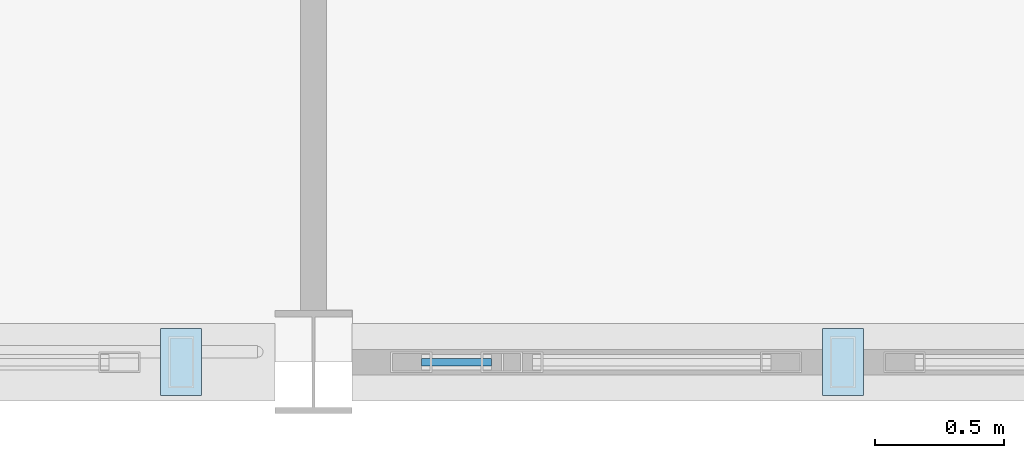
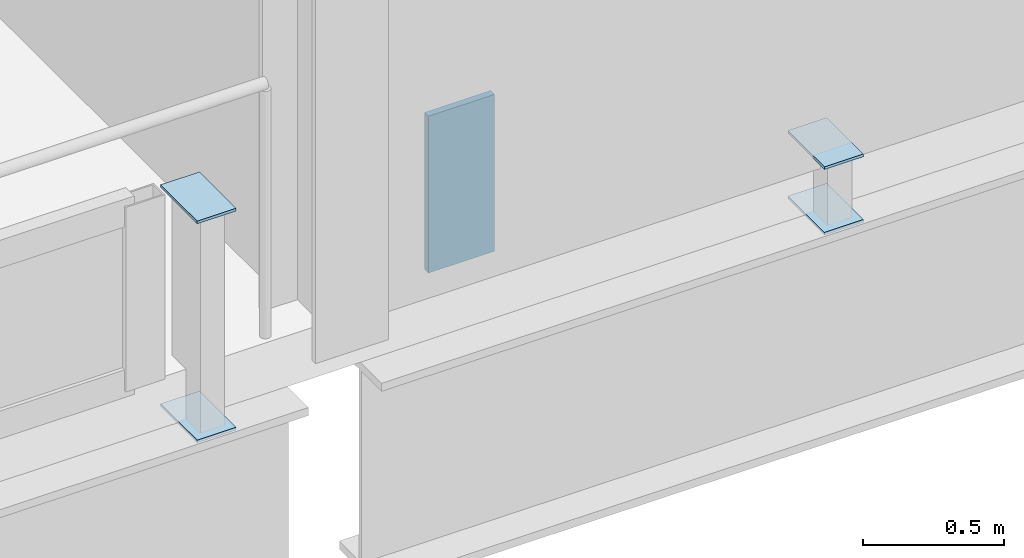
# One storey, part 13 of 20: 5 plates, 1 element without a shape of its own.
"""IFC4 building model written with IfcOpenShell, lengths in metres."""

from ifc_helpers import new_model, si_unit, direction, frame, origin, origin_2d, place, context, subcontext, project, spatial, rectangle, extrude, material, layer, layer_set, type_object, element, aggregate, save


model = new_model("IFC4")

# Units and contexts
model_context = context("Model", 3, precision=1e-05, world=origin(), true_north=direction((0.0, 1.0)))
body_context = subcontext(model_context, "Body", "Model", "MODEL_VIEW")
ifc_project = project(units=[si_unit("LENGTHUNIT", "METRE"), si_unit("AREAUNIT", "SQUARE_METRE"), si_unit("VOLUMEUNIT", "CUBIC_METRE"), si_unit("PLANEANGLEUNIT", "RADIAN"), si_unit("MASSUNIT", "GRAM", prefix="KILO"), si_unit("THERMODYNAMICTEMPERATUREUNIT", "KELVIN"), si_unit("POWERUNIT", "WATT")], contexts=[model_context])

# Site, building, storey
site_placement = place(None, origin())
site = spatial("IfcSite", under=ifc_project, at=site_placement, CompositionType="ELEMENT")
building_placement = place(site_placement, origin())
building = spatial("IfcBuilding", under=site, at=building_placement, Name="Kaldorven Railside Theatre", CompositionType="ELEMENT")
storey_placement = place(building_placement, frame((0.0, 0.0, 23.10009765625)))
storey = spatial("IfcBuildingStorey", under=building, at=storey_placement, Name="L05", CompositionType="ELEMENT", Elevation=23.10009765625)

# Curtain wall, plate
ifc_material_1 = material(Name="Low-E laminated solar-control glass", Category="glass")
ifc_layer_1 = layer(ifc_material_1, 0.159912109375, Name="Low-E laminated solar-control glass")
ifc_layer_set_1 = layer_set([ifc_layer_1], Name="Low-E laminated solar-control glass")
curtain_wall_type = type_object("IfcCurtainWallType", Name="CWT-44", PredefinedType="USERDEFINED", material=ifc_layer_set_1)
curtain_wall_placement = place(storey_placement, origin())
curtain_wall = element("IfcCurtainWall", 1, at=curtain_wall_placement, inside=storey, type_object=curtain_wall_type, Name="Main Theatre North Ridge Clerestory CWG-055", ObjectType="FLUTED GLAZING", PredefinedType="USERDEFINED")
ifc_layer_2 = layer(ifc_material_1, 0.028076171875, Name="Low-E laminated solar-control glass")
ifc_layer_set_2 = layer_set([ifc_layer_2], Name="Low-E laminated solar-control glass")
plate_type_1 = type_object("IfcPlateType", Name="CWP-GLZ28", PredefinedType="CURTAIN_PANEL", material=ifc_layer_set_2)
plate_placement = place(storey_placement, frame((116.5556640625, 84.0, 0.080078125), z_axis=(0.0, 0.0, 1.0), x_axis=(1.0, 0.0, 0.0)))
plate = element("IfcPlate", 2, at=plate_placement, type_object=plate_type_1, Name="CWG-055 panel 1.1", PredefinedType="CURTAIN_PANEL", context=body_context, shape_type="SweptSolid", body=[
    extrude(rectangle(XDim=0.271484375, YDim=0.028076171875, at=origin_2d()), origin(), (0.0, 0.0, 1.0), 0.679931640625),
])
aggregate(curtain_wall, [plate])

# Plates
ifc_material_2 = material(Name="Steel S355", Category="steel")
ifc_layer_3 = layer(ifc_material_2, 0.011962890625, Name="Steel S355")
ifc_layer_set_3 = layer_set([ifc_layer_3], Name="Steel S355")
plate_type_2 = type_object("IfcPlateType", Name="PLT-CAP-12", PredefinedType="USERDEFINED", material=ifc_layer_set_3)
for number, where, z_axis, x_axis, name in (
    (3, (115.485595703125, 84.0, -0.22998046875), (0.0, 0.0, 1.0), (1.0, 0.0, 0.0), "End cap gusset plate PL-0155"),
    (4, (115.485595703125, 84.0, 0.71923828125), (0.0, 0.0, 1.0), (1.0, 0.0, 0.0), "End cap gusset plate PL-0156"),
    (5, (118.05712890625, 84.0, -0.22998046875), (0.0, 0.0, 1.0), (1.0, 0.0, 0.0), "End cap gusset plate PL-0157"),
    (6, (118.05712890625, 84.0, 0.05419921875), (0.0, 0.0, 1.0), (1.0, 0.0, 0.0), "End cap gusset plate PL-0158"),
):
    element("IfcPlate", number, at=place(storey_placement, frame(where, z_axis=z_axis, x_axis=x_axis)), inside=storey, type_object=plate_type_2, Name=name, ObjectType="CAP PLATE", PredefinedType="USERDEFINED", context=body_context, shape_type="SweptSolid", body=[
        extrude(rectangle(XDim=0.159912109375, YDim=0.260009765625, at=origin_2d()), origin(), (0.0, 0.0, 1.0), 0.011962890625),
    ])

save(model, "model.ifc")
